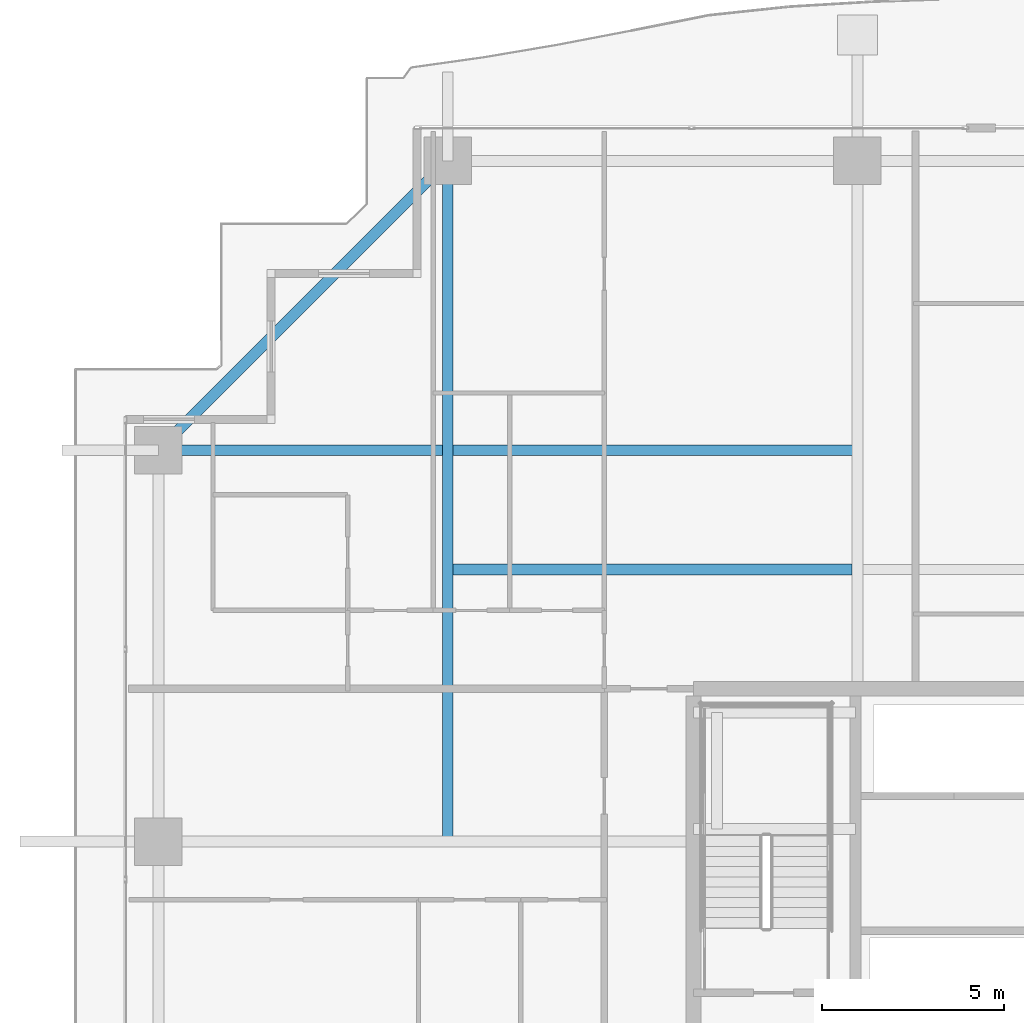
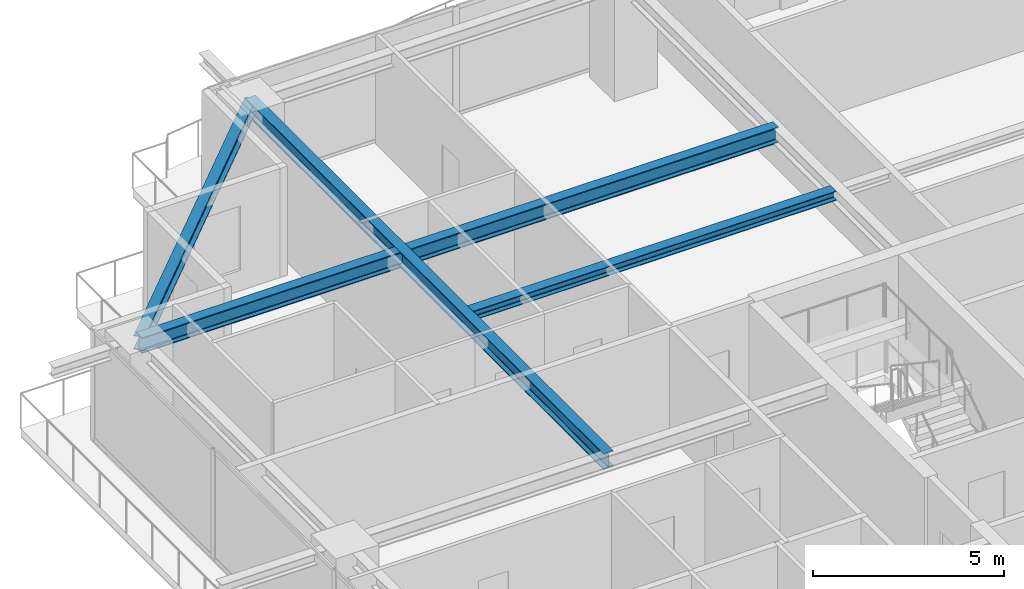
# One storey, part 15 of 33: 4 beams.
"""IFC4 building model written with IfcOpenShell, lengths in metres."""

from ifc_helpers import new_model, si_unit, direction, frame, origin, origin_2d, place, context, subcontext, project, spatial, i_section, extrude, source, transform, mapped, material, material_profile, profile_set, type_object, element, save


model = new_model("IFC4")

# Units and contexts
model_context = context("Model", 3, precision=1e-05, world=origin(), true_north=direction((0.0, 1.0)))
body_context = subcontext(model_context, "Body", "Model", "MODEL_VIEW")
ifc_project = project(units=[si_unit("LENGTHUNIT", "METRE"), si_unit("AREAUNIT", "SQUARE_METRE"), si_unit("VOLUMEUNIT", "CUBIC_METRE"), si_unit("PLANEANGLEUNIT", "RADIAN"), si_unit("MASSUNIT", "GRAM", prefix="KILO")], contexts=[model_context])

# Site, building, storey
site_placement = place(None, origin())
site = spatial("IfcSite", under=ifc_project, at=site_placement, CompositionType="ELEMENT")
building_placement = place(site_placement, origin())
building = spatial("IfcBuilding", under=site, at=building_placement, Name="Serunith Strait Residences", CompositionType="ELEMENT")
storey_placement = place(building_placement, frame((0.0, 0.0, 165.14990234375)))
storey = spatial("IfcBuildingStorey", under=building, at=storey_placement, Name="L41", CompositionType="ELEMENT", Elevation=165.14990234375)

# Beams
ifc_material = material(Name="Steel S355J2", Category="steel")
ifc_material_profile_1 = material_profile(ifc_material, i_section(OverallWidth=0.300048828125, OverallDepth=0.5, WebThickness=0.014404296875, FlangeThickness=0.028076171875, FilletRadius=0.027099609375, at=origin_2d()), Name="HEB 500")
ifc_profile_set_1 = profile_set([ifc_material_profile_1], Name="Steel S355J2")
beam_type_1 = type_object("IfcBeamType", Name="BM-HEB500", PredefinedType="BEAM", material=ifc_profile_set_1)
shared_shape_1 = source(origin(), body_context, "Body", "SweptSolid", [
    extrude(i_section(OverallWidth=0.300048828125, OverallDepth=0.5, WebThickness=0.014404296875, FlangeThickness=0.028076171875, FilletRadius=0.027099609375, at=origin_2d()), origin(), (0.0, 0.0, 1.0), 18.7001953125),
])
beam_1_placement = place(storey_placement, frame((16.64990234375, 29.39990234375, 3.237060546875), z_axis=(0.0, 1.0, 0.0), x_axis=(-1.0, 0.0, 0.0)))
element("IfcBeam", 1, at=beam_1_placement, inside=storey, type_object=beam_type_1, Name="L41 Orthogonal Corner Girder TC-N1", PredefinedType="BEAM", context=body_context, shape_type="MappedRepresentation", body=[
    mapped(shared_shape_1, transform((0.0, 0.0, 0.0), scale=1.0)),
])
shared_shape_2 = source(origin(), body_context, "Body", "SweptSolid", [
    extrude(i_section(OverallWidth=0.300048828125, OverallDepth=0.5, WebThickness=0.014404296875, FlangeThickness=0.028076171875, FilletRadius=0.027099609375, at=origin_2d()), origin(), (0.0, 0.0, 1.0), 19.199951171875),
])
beam_2_placement = place(storey_placement, frame((27.89990234375, 40.14990234375, 3.237060546875), z_axis=(-1.0, 0.0, 0.0), x_axis=(0.0, -1.0, 0.0)))
element("IfcBeam", 2, at=beam_2_placement, inside=storey, type_object=beam_type_1, Name="L41 Orthogonal Corner Girder TC-W4", PredefinedType="BEAM", context=body_context, shape_type="MappedRepresentation", body=[
    mapped(shared_shape_2, transform((0.0, 0.0, 0.0), scale=1.0)),
])
ifc_material_profile_2 = material_profile(ifc_material, i_section(OverallWidth=0.300048828125, OverallDepth=0.449951171875, WebThickness=0.013916015625, FlangeThickness=0.02587890625, FilletRadius=0.027099609375, at=origin_2d()), Name="HEB 450")
ifc_profile_set_2 = profile_set([ifc_material_profile_2], Name="Steel S355J2")
beam_type_2 = type_object("IfcBeamType", Name="BM-HEB450", PredefinedType="BEAM", material=ifc_profile_set_2)
shared_shape_3 = source(origin(), body_context, "Body", "SweptSolid", [
    extrude(i_section(OverallWidth=0.300048828125, OverallDepth=0.449951171875, WebThickness=0.013916015625, FlangeThickness=0.02587890625, FilletRadius=0.027099609375, at=origin_2d()), origin(), (0.0, 0.0, 1.0), 11.2431640625),
])
beam_3_placement = place(storey_placement, frame((16.64990234375, 48.10009765625, 3.232177734375), z_axis=(-0.707095923751, -0.707117638455, 0.0), x_axis=(0.707117638455, -0.707095923751, 0.0)))
element("IfcBeam", 3, at=beam_3_placement, inside=storey, type_object=beam_type_2, Name="L41 Perimeter Ring Beam 12", PredefinedType="BEAM", context=body_context, shape_type="MappedRepresentation", body=[
    mapped(shared_shape_3, transform((0.0, 0.0, 0.0), scale=1.0)),
])
ifc_material_profile_3 = material_profile(ifc_material, i_section(OverallWidth=0.300048828125, OverallDepth=0.300048828125, WebThickness=0.010986328125, FlangeThickness=0.01904296875, FilletRadius=0.027099609375, at=origin_2d()), Name="HEB 300")
ifc_profile_set_3 = profile_set([ifc_material_profile_3], Name="Steel S355J2")
beam_type_3 = type_object("IfcBeamType", Name="BM-HEB300", PredefinedType="JOIST", material=ifc_profile_set_3)
shared_shape_4 = source(origin(), body_context, "Body", "SweptSolid", [
    extrude(i_section(OverallWidth=0.300048828125, OverallDepth=0.300048828125, WebThickness=0.010986328125, FlangeThickness=0.01904296875, FilletRadius=0.027099609375, at=origin_2d()), origin(), (0.0, 0.0, 1.0), 10.949951171875),
])
beam_4_placement = place(storey_placement, frame((16.800048828125, 36.875, 3.337158203125), z_axis=(1.0, 0.0, 0.0), x_axis=(0.0, 1.0, 0.0)))
element("IfcBeam", 4, at=beam_4_placement, inside=storey, type_object=beam_type_3, Name="L41 Composite Floor Joist 04", PredefinedType="JOIST", context=body_context, shape_type="MappedRepresentation", body=[
    mapped(shared_shape_4, transform((0.0, 0.0, 0.0), scale=1.0)),
])

save(model, "model.ifc")
